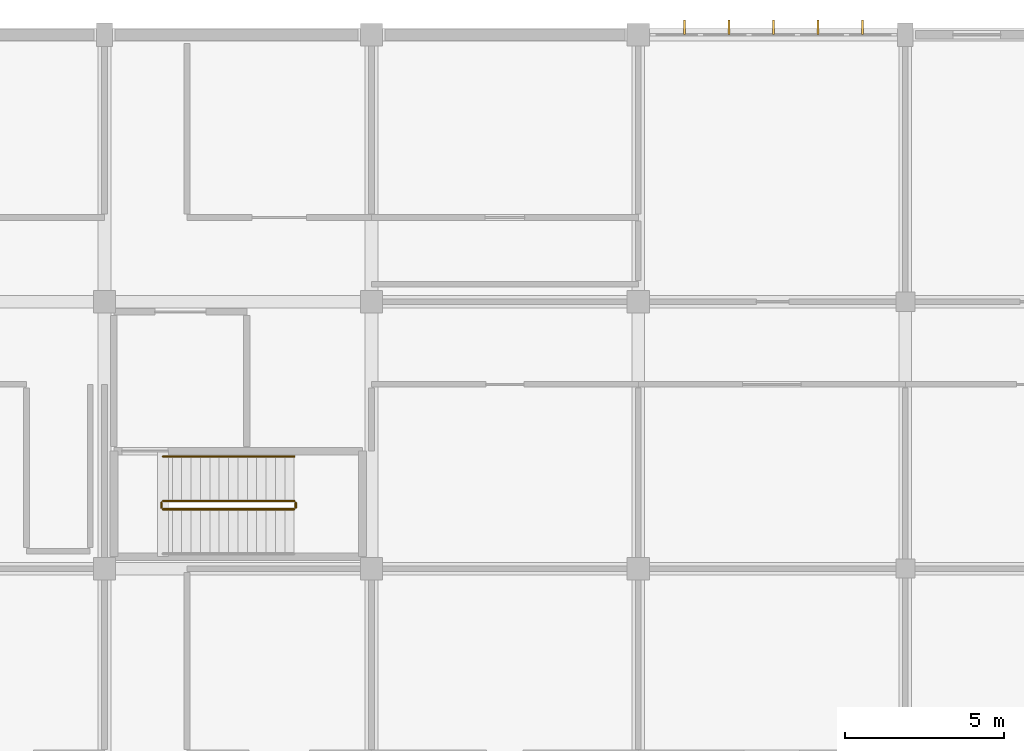
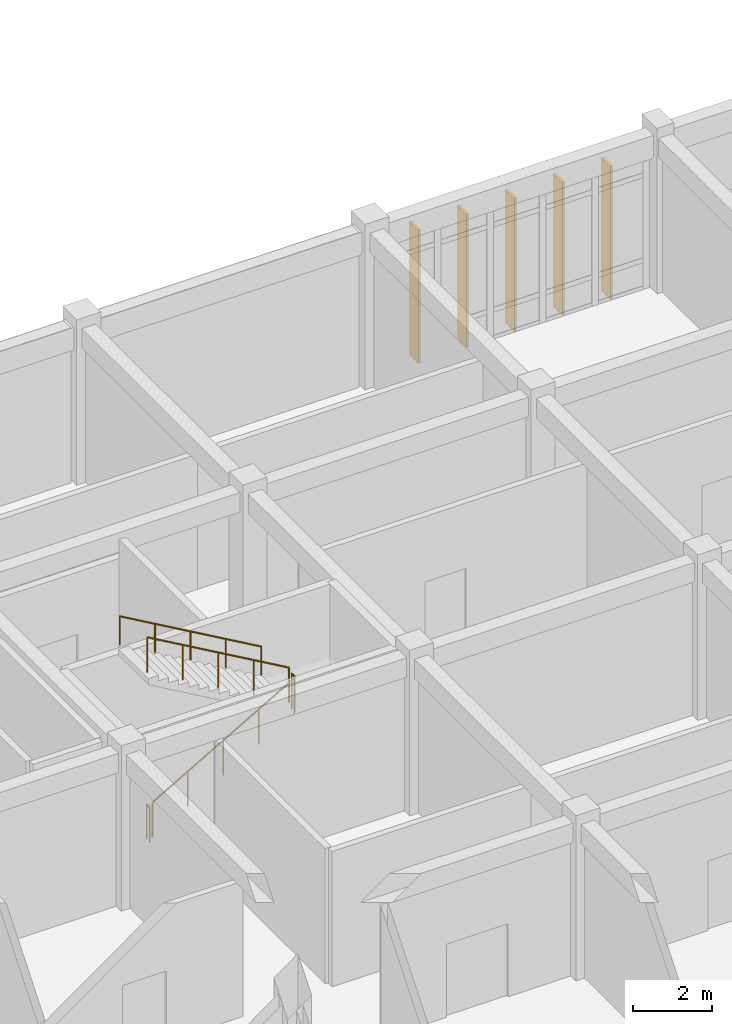
# One storey, part 133 of 134: 5 railings, 5 shading devices.
"""IFC4 building model written with IfcOpenShell, lengths in metres."""

from ifc_helpers import new_model, si_unit, direction, frame, origin, origin_2d, place, context, subcontext, project, spatial, rectangle, circle, extrude, material, material_profile, profile_set, type_object, element, save


model = new_model("IFC4")

# Units and contexts
model_context = context("Model", 3, precision=1e-05, world=origin(), true_north=direction((0.0, 1.0)))
body_context = subcontext(model_context, "Body", "Model", "MODEL_VIEW")
ifc_project = project(units=[si_unit("LENGTHUNIT", "METRE"), si_unit("AREAUNIT", "SQUARE_METRE"), si_unit("VOLUMEUNIT", "CUBIC_METRE"), si_unit("PLANEANGLEUNIT", "RADIAN"), si_unit("MASSUNIT", "GRAM", prefix="KILO")], contexts=[model_context])

# Site, building, storey
site_placement = place(None, origin())
site = spatial("IfcSite", under=ifc_project, at=site_placement, CompositionType="ELEMENT")
building_placement = place(site_placement, origin())
building = spatial("IfcBuilding", under=site, at=building_placement, Name="Bramfleet General Hospital", CompositionType="ELEMENT")
storey_placement = place(building_placement, frame((0.0, 0.0, 9.300048828125)))
storey = spatial("IfcBuildingStorey", under=building, at=storey_placement, Name="L02", CompositionType="ELEMENT", Elevation=9.300048828125)

# Railings
ifc_material_1 = material(Name="Powder-coated steel stair balustrade", Category="steel")
railing_type_1 = type_object("IfcRailingType", Name="RAIL-ST-GUARD", PredefinedType="GUARDRAIL", material=ifc_material_1)
railing_1_placement = place(storey_placement, frame((136.239990234375, 102.669921875, 0.169921875)))
element("IfcRailing", 1, at=railing_1_placement, inside=storey, type_object=railing_type_1, Name="L02 ST-C9 stair guard 1", PredefinedType="GUARDRAIL", context=body_context, shape_type="SweptSolid", body=[
    extrude(circle(Radius=0.02392578125, at=origin_2d()), frame((0.0, 0.0, 1.076171875), z_axis=(0.866425082981, 0.0, 0.499307095465), x_axis=(0.0, 1.0, 0.0)), (0.0, 0.0, 1.0), 4.766845703125),
    extrude(circle(Radius=0.02099609375, at=origin_2d()), origin(), (0.0, 0.0, 1.0), 1.052001953125),
    extrude(circle(Radius=0.02099609375, at=origin_2d()), frame((1.032470703125, 0.0, 0.594970703125)), (0.0, 0.0, 1.0), 1.052001953125),
    extrude(circle(Radius=0.02099609375, at=origin_2d()), frame((2.06494140625, 0.0, 1.18994140625)), (0.0, 0.0, 1.0), 1.052001953125),
    extrude(circle(Radius=0.02099609375, at=origin_2d()), frame((3.09765625, 0.0, 1.78515625)), (0.0, 0.0, 1.0), 1.052001953125),
    extrude(circle(Radius=0.02099609375, at=origin_2d()), frame((4.130126953125, 0.0, 2.380126953125)), (0.0, 0.0, 1.0), 1.052001953125),
])
railing_2_placement = place(storey_placement, frame((140.419921875, 102.719970703125, 2.550048828125)))
element("IfcRailing", 2, at=railing_2_placement, inside=storey, type_object=railing_type_1, Name="L02 ST-C9 stair guard 2", PredefinedType="GUARDRAIL", context=body_context, shape_type="SweptSolid", body=[
    extrude(circle(Radius=0.02392578125, at=origin_2d()), frame((0.0, 0.0, 1.076171875), z_axis=(0.0, 1.0, 0.0), x_axis=(-1.0, 0.0, 0.0)), (0.0, 0.0, 1.0), 0.159912109375),
    extrude(circle(Radius=0.02099609375, at=origin_2d()), origin(), (0.0, 0.0, 1.0), 1.052001953125),
    extrude(circle(Radius=0.02099609375, at=origin_2d()), frame((0.0, 0.159912109375, 0.0)), (0.0, 0.0, 1.0), 1.052001953125),
])
railing_3_placement = place(storey_placement, frame((140.3701171875, 102.929931640625, 2.719970703125)))
element("IfcRailing", 3, at=railing_3_placement, inside=storey, type_object=railing_type_1, Name="L02 ST-C9 stair guard 3", PredefinedType="GUARDRAIL", context=body_context, shape_type="SweptSolid", body=[
    extrude(circle(Radius=0.02392578125, at=origin_2d()), frame((0.0, 0.0, 1.076171875), z_axis=(-0.866447239463, 0.0, 0.499268646349), x_axis=(0.0, -1.0, 0.0)), (0.0, 0.0, 1.0), 4.766845703125),
    extrude(circle(Radius=0.02099609375, at=origin_2d()), origin(), (0.0, 0.0, 1.0), 1.052001953125),
    extrude(circle(Radius=0.02099609375, at=origin_2d()), frame((-1.032470703125, 0.0, 0.594970703125)), (0.0, 0.0, 1.0), 1.052001953125),
    extrude(circle(Radius=0.02099609375, at=origin_2d()), frame((-2.06494140625, 0.0, 1.18994140625)), (0.0, 0.0, 1.0), 1.052001953125),
    extrude(circle(Radius=0.02099609375, at=origin_2d()), frame((-3.09765625, 0.0, 1.784912109375)), (0.0, 0.0, 1.0), 1.052001953125),
    extrude(circle(Radius=0.02099609375, at=origin_2d()), frame((-4.130126953125, 0.0, 2.3798828125)), (0.0, 0.0, 1.0), 1.052001953125),
])
railing_4_placement = place(storey_placement, frame((136.18994140625, 102.719970703125, 0.0)))
element("IfcRailing", 4, at=railing_4_placement, inside=storey, type_object=railing_type_1, Name="L02 ST-C9 stair guard 4", PredefinedType="GUARDRAIL", context=body_context, shape_type="SweptSolid", body=[
    extrude(circle(Radius=0.02392578125, at=origin_2d()), frame((0.0, 0.0, 1.076171875), z_axis=(0.0, 1.0, 0.0), x_axis=(-1.0, 0.0, 0.0)), (0.0, 0.0, 1.0), 0.159912109375),
    extrude(circle(Radius=0.02099609375, at=origin_2d()), origin(), (0.0, 0.0, 1.0), 1.052001953125),
    extrude(circle(Radius=0.02099609375, at=origin_2d()), frame((0.0, 0.159912109375, 0.0)), (0.0, 0.0, 1.0), 1.052001953125),
])
ifc_material_2 = material(Name="Stainless steel 1.4301 stair handrail", Category="steel")
railing_type_2 = type_object("IfcRailingType", Name="RAIL-ST-HND", PredefinedType="HANDRAIL", material=ifc_material_2)
railing_5_placement = place(storey_placement, frame((140.3701171875, 104.330078125, 2.719970703125)))
element("IfcRailing", 5, at=railing_5_placement, inside=storey, type_object=railing_type_2, Name="L02 ST-C9 stair handrail 2", PredefinedType="HANDRAIL", context=body_context, shape_type="SweptSolid", body=[
    extrude(circle(Radius=0.02392578125, at=origin_2d()), frame((0.0, 0.0, 0.8759765625), z_axis=(-0.866447239463, 0.0, 0.499268646349), x_axis=(0.0, -1.0, 0.0)), (0.0, 0.0, 1.0), 4.766845703125),
    extrude(circle(Radius=0.02099609375, at=origin_2d()), origin(), (0.0, 0.0, 1.0), 0.851806640625),
    extrude(circle(Radius=0.02099609375, at=origin_2d()), frame((-1.032470703125, 0.0, 0.594970703125)), (0.0, 0.0, 1.0), 0.851806640625),
    extrude(circle(Radius=0.02099609375, at=origin_2d()), frame((-2.06494140625, 0.0, 1.18994140625)), (0.0, 0.0, 1.0), 0.851806640625),
    extrude(circle(Radius=0.02099609375, at=origin_2d()), frame((-3.09765625, 0.0, 1.784912109375)), (0.0, 0.0, 1.0), 0.851806640625),
    extrude(circle(Radius=0.02099609375, at=origin_2d()), frame((-4.130126953125, 0.0, 2.3798828125)), (0.0, 0.0, 1.0), 0.851806640625),
])

# Shading devices
ifc_material_3 = material(Name="Treated European larch timber", Category="wood")
ifc_material_profile = material_profile(ifc_material_3, rectangle(XDim=0.06494140625, YDim=0.449951171875, at=origin_2d()), Name="LARCH FIN 450x65")
ifc_profile_set = profile_set([ifc_material_profile], Name="Treated European larch timber")
shading_device_type = type_object("IfcShadingDeviceType", Name="SHD-FIN-450", PredefinedType="USERDEFINED", material=ifc_profile_set)
for number, where, z_axis, x_axis, name in (
    (6, (152.64990234375, 117.840087890625, -0.02001953125), (0.0, 0.0, 1.0), (1.0, 0.0, 0.0), "L02 Larch Timber Shading Fin 386"),
    (7, (154.050048828125, 117.840087890625, -0.02001953125), (0.0, 0.0, 1.0), (1.0, 0.0, 0.0), "L02 Larch Timber Shading Fin 387"),
    (8, (155.449951171875, 117.840087890625, -0.02001953125), (0.0, 0.0, 1.0), (1.0, 0.0, 0.0), "L02 Larch Timber Shading Fin 388"),
    (9, (156.85009765625, 117.840087890625, -0.02001953125), (0.0, 0.0, 1.0), (1.0, 0.0, 0.0), "L02 Larch Timber Shading Fin 389"),
    (10, (158.25, 117.840087890625, -0.02001953125), (0.0, 0.0, 1.0), (1.0, 0.0, 0.0), "L02 Larch Timber Shading Fin 390"),
):
    element("IfcShadingDevice", number, at=place(storey_placement, frame(where, z_axis=z_axis, x_axis=x_axis)), inside=storey, type_object=shading_device_type, Name=name, ObjectType="Fin", PredefinedType="USERDEFINED", context=body_context, shape_type="SweptSolid", body=[
        extrude(rectangle(XDim=0.06494140625, YDim=0.449951171875, at=origin_2d()), origin(), (0.0, 0.0, 1.0), 4.099853515625),
    ])

save(model, "model.ifc")
